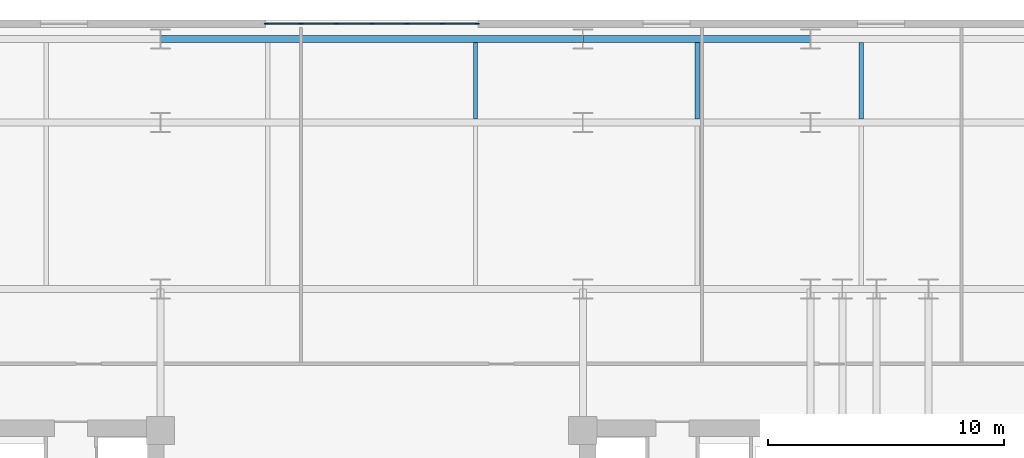
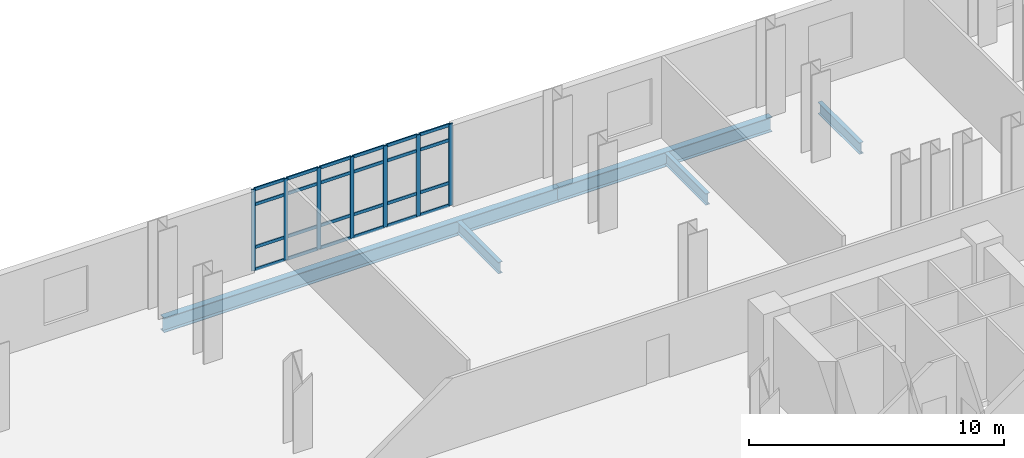
# One storey, part 5 of 13: 31 members, 5 beams, 1 element without a shape of its own.
"""IFC4 building model written with IfcOpenShell, lengths in metres."""

from ifc_helpers import new_model, si_unit, direction, frame, origin, origin_2d, place, context, subcontext, project, spatial, rectangle, i_section, extrude, material, layer, layer_set, material_profile, profile_set, type_object, element, aggregate, save


model = new_model("IFC4")

# Units and contexts
model_context = context("Model", 3, precision=1e-05, world=origin(), true_north=direction((0.0, 1.0)))
body_context = subcontext(model_context, "Body", "Model", "MODEL_VIEW")
ifc_project = project(units=[si_unit("LENGTHUNIT", "METRE"), si_unit("AREAUNIT", "SQUARE_METRE"), si_unit("VOLUMEUNIT", "CUBIC_METRE"), si_unit("PLANEANGLEUNIT", "RADIAN"), si_unit("MASSUNIT", "GRAM", prefix="KILO")], contexts=[model_context])

# Site, building, storey
site_placement = place(None, origin())
site = spatial("IfcSite", under=ifc_project, at=site_placement, CompositionType="ELEMENT")
building_placement = place(site_placement, origin())
building = spatial("IfcBuilding", under=site, at=building_placement, Name="Velakula Bourse", CompositionType="ELEMENT")
storey_placement = place(building_placement, frame((0.0, 0.0, 22.800048828125)))
storey = spatial("IfcBuildingStorey", under=building, at=storey_placement, Name="L05", CompositionType="ELEMENT", Elevation=22.800048828125)

# Beams
ifc_material_1 = material(Name="Steel IS 2062 Grade 350 (E350)", Category="steel")
ifc_material_profile_1 = material_profile(ifc_material_1, i_section(OverallWidth=0.300048828125, OverallDepth=0.699951171875, WebThickness=0.01611328125, FlangeThickness=0.02490234375, at=origin_2d()), Name="Steel IS 2062 Grade 350 (E350)")
ifc_profile_set_1 = profile_set([ifc_material_profile_1], Name="Steel IS 2062 Grade 350 (E350)")
beam_type_1 = type_object("IfcBeamType", Name="BM-POD-700", PredefinedType="BEAM", material=ifc_profile_set_1)
beam_1_placement = place(storey_placement, frame((-8.949951171875, 25.199951171875, -0.60009765625), z_axis=(1.0, 0.0, 0.0), x_axis=(0.0, 1.0, 0.0)))
element("IfcBeam", 1, at=beam_1_placement, inside=storey, type_object=beam_type_1, Name="L05 Podium E-W Girder 60", PredefinedType="BEAM", context=body_context, shape_type="SweptSolid", body=[
    extrude(i_section(OverallWidth=0.300048828125, OverallDepth=0.699951171875, WebThickness=0.01611328125, FlangeThickness=0.02490234375, at=origin_2d()), origin(), (0.0, 0.0, 1.0), 17.89990234375),
])
beam_2_placement = place(storey_placement, frame((8.949951171875, 25.199951171875, -0.60009765625), z_axis=(1.0, 0.0, 0.0), x_axis=(0.0, 1.0, 0.0)))
element("IfcBeam", 2, at=beam_2_placement, inside=storey, type_object=beam_type_1, Name="L05 Podium E-W Girder 61", PredefinedType="BEAM", context=body_context, shape_type="SweptSolid", body=[
    extrude(i_section(OverallWidth=0.300048828125, OverallDepth=0.699951171875, WebThickness=0.01611328125, FlangeThickness=0.02490234375, at=origin_2d()), origin(), (0.0, 0.0, 1.0), 9.650146484375),
])
ifc_material_profile_2 = material_profile(ifc_material_1, i_section(OverallWidth=0.18994140625, OverallDepth=0.550048828125, WebThickness=0.01123046875, FlangeThickness=0.019287109375, at=origin_2d()), Name="Steel IS 2062 Grade 350 (E350)")
ifc_profile_set_2 = profile_set([ifc_material_profile_2], Name="Steel IS 2062 Grade 350 (E350)")
beam_type_2 = type_object("IfcBeamType", Name="JST-POD-550", PredefinedType="JOIST", material=ifc_profile_set_2)
for number, where, z_axis, x_axis, name in (
    (3, (4.39990234375, 21.800048828125, -0.525146484375), (0.0, 1.0, 0.0), (-1.0, 0.0, 0.0), "L05 Station Podium Floor Joist 20"),
    (4, (13.800048828125, 21.800048828125, -0.525146484375), (0.0, 1.0, 0.0), (-1.0, 0.0, 0.0), "L05 Station Podium Floor Joist 24"),
    (5, (20.75, 21.800048828125, -0.525146484375), (0.0, 1.0, 0.0), (-1.0, 0.0, 0.0), "L05 Station Podium Floor Joist 28"),
):
    element("IfcBeam", number, at=place(storey_placement, frame(where, z_axis=z_axis, x_axis=x_axis)), inside=storey, type_object=beam_type_2, Name=name, PredefinedType="JOIST", context=body_context, shape_type="SweptSolid", body=[
        extrude(i_section(OverallWidth=0.18994140625, OverallDepth=0.550048828125, WebThickness=0.01123046875, FlangeThickness=0.019287109375, at=origin_2d()), origin(), (0.0, 0.0, 1.0), 3.25),
    ])

# Curtain wall, members
ifc_material_2 = material(Name="Anodised bronze architectural aluminium", Category="aluminium")
ifc_layer = layer(ifc_material_2, 0.179931640625, Name="Anodised bronze architectural aluminium", Category="aluminium")
ifc_layer_set = layer_set([ifc_layer], Name="Anodised bronze architectural aluminium")
curtain_wall_type = type_object("IfcCurtainWallType", Name="CW-PD1", PredefinedType="NOTDEFINED", material=ifc_layer_set)
curtain_wall_placement = place(storey_placement, origin())
curtain_wall = element("IfcCurtainWall", 6, at=curtain_wall_placement, inside=storey, type_object=curtain_wall_type, Name="L05 North Station Galleria Curtain Wall 2", PredefinedType="NOTDEFINED")
ifc_material_profile_3 = material_profile(ifc_material_2, rectangle(XDim=0.06005859375, YDim=0.179931640625, at=origin_2d()), Name="Anodised bronze architectural aluminium")
ifc_profile_set_3 = profile_set([ifc_material_profile_3], Name="Anodised bronze architectural aluminium")
member_type_1 = type_object("IfcMemberType", Name="MUL-CW-PD1", PredefinedType="MULLION", material=ifc_profile_set_3)
member_1_placement = place(storey_placement, frame((-4.469970703125, 25.840087890625, 0.0), z_axis=(0.0, 0.0, 1.0), x_axis=(0.0, 1.0, 0.0)))
member_1 = element("IfcMember", 7, at=member_1_placement, type_object=member_type_1, Name="CW-PD1 mullion 1", PredefinedType="MULLION", context=body_context, shape_type="SweptSolid", body=[
    extrude(rectangle(XDim=0.06005859375, YDim=0.179931640625, at=origin_2d()), origin(), (0.0, 0.0, 1.0), 3.89990234375),
])
member_2_placement = place(storey_placement, frame((-3.0, 25.840087890625, 0.0), z_axis=(0.0, 0.0, 1.0), x_axis=(0.0, 1.0, 0.0)))
member_2 = element("IfcMember", 8, at=member_2_placement, type_object=member_type_1, Name="CW-PD1 mullion 2", PredefinedType="MULLION", context=body_context, shape_type="SweptSolid", body=[
    extrude(rectangle(XDim=0.06005859375, YDim=0.179931640625, at=origin_2d()), origin(), (0.0, 0.0, 1.0), 3.89990234375),
])
member_3_placement = place(storey_placement, frame((-1.5, 25.840087890625, 0.0), z_axis=(0.0, 0.0, 1.0), x_axis=(0.0, 1.0, 0.0)))
member_3 = element("IfcMember", 9, at=member_3_placement, type_object=member_type_1, Name="CW-PD1 mullion 3", PredefinedType="MULLION", context=body_context, shape_type="SweptSolid", body=[
    extrude(rectangle(XDim=0.06005859375, YDim=0.179931640625, at=origin_2d()), origin(), (0.0, 0.0, 1.0), 3.89990234375),
])
member_4_placement = place(storey_placement, frame((0.0, 25.840087890625, 0.0), z_axis=(0.0, 0.0, 1.0), x_axis=(0.0, 1.0, 0.0)))
member_4 = element("IfcMember", 10, at=member_4_placement, type_object=member_type_1, Name="CW-PD1 mullion 4", PredefinedType="MULLION", context=body_context, shape_type="SweptSolid", body=[
    extrude(rectangle(XDim=0.06005859375, YDim=0.179931640625, at=origin_2d()), origin(), (0.0, 0.0, 1.0), 3.89990234375),
])
member_5_placement = place(storey_placement, frame((1.5, 25.840087890625, 0.0), z_axis=(0.0, 0.0, 1.0), x_axis=(0.0, 1.0, 0.0)))
member_5 = element("IfcMember", 11, at=member_5_placement, type_object=member_type_1, Name="CW-PD1 mullion 5", PredefinedType="MULLION", context=body_context, shape_type="SweptSolid", body=[
    extrude(rectangle(XDim=0.06005859375, YDim=0.179931640625, at=origin_2d()), origin(), (0.0, 0.0, 1.0), 3.89990234375),
])
member_6_placement = place(storey_placement, frame((3.0, 25.840087890625, 0.0), z_axis=(0.0, 0.0, 1.0), x_axis=(0.0, 1.0, 0.0)))
member_6 = element("IfcMember", 12, at=member_6_placement, type_object=member_type_1, Name="CW-PD1 mullion 6", PredefinedType="MULLION", context=body_context, shape_type="SweptSolid", body=[
    extrude(rectangle(XDim=0.06005859375, YDim=0.179931640625, at=origin_2d()), origin(), (0.0, 0.0, 1.0), 3.89990234375),
])
member_7_placement = place(storey_placement, frame((4.469970703125, 25.840087890625, 0.0), z_axis=(0.0, 0.0, 1.0), x_axis=(0.0, 1.0, 0.0)))
member_7 = element("IfcMember", 13, at=member_7_placement, type_object=member_type_1, Name="CW-PD1 mullion 7", PredefinedType="MULLION", context=body_context, shape_type="SweptSolid", body=[
    extrude(rectangle(XDim=0.06005859375, YDim=0.179931640625, at=origin_2d()), origin(), (0.0, 0.0, 1.0), 3.89990234375),
])
ifc_material_profile_4 = material_profile(ifc_material_2, rectangle(XDim=0.06005859375, YDim=0.14990234375, at=origin_2d()), Name="Anodised bronze architectural aluminium")
ifc_profile_set_4 = profile_set([ifc_material_profile_4], Name="Anodised bronze architectural aluminium")
member_type_2 = type_object("IfcMemberType", Name="TRN-CW-PD1", PredefinedType="USERDEFINED", material=ifc_profile_set_4)
member_8_placement = place(storey_placement, frame((-4.43994140625, 25.840087890625, 0.030029296875), z_axis=(1.0, 0.0, 0.0), x_axis=(0.0, 1.0, 0.0)))
member_8 = element("IfcMember", 14, at=member_8_placement, type_object=member_type_2, Name="CW-PD1 transom 1.1", ObjectType="TRANSOM", PredefinedType="USERDEFINED", context=body_context, shape_type="SweptSolid", body=[
    extrude(rectangle(XDim=0.06005859375, YDim=0.14990234375, at=origin_2d()), origin(), (0.0, 0.0, 1.0), 1.409912109375),
])
member_9_placement = place(storey_placement, frame((-4.43994140625, 25.840087890625, 1.099853515625), z_axis=(1.0, 0.0, 0.0), x_axis=(0.0, 1.0, 0.0)))
member_9 = element("IfcMember", 15, at=member_9_placement, type_object=member_type_2, Name="CW-PD1 transom 1.2", ObjectType="TRANSOM", PredefinedType="USERDEFINED", context=body_context, shape_type="SweptSolid", body=[
    extrude(rectangle(XDim=0.06005859375, YDim=0.14990234375, at=origin_2d()), origin(), (0.0, 0.0, 1.0), 1.409912109375),
])
member_10_placement = place(storey_placement, frame((-4.43994140625, 25.840087890625, 3.14990234375), z_axis=(1.0, 0.0, 0.0), x_axis=(0.0, 1.0, 0.0)))
member_10 = element("IfcMember", 16, at=member_10_placement, type_object=member_type_2, Name="CW-PD1 transom 1.3", ObjectType="TRANSOM", PredefinedType="USERDEFINED", context=body_context, shape_type="SweptSolid", body=[
    extrude(rectangle(XDim=0.06005859375, YDim=0.14990234375, at=origin_2d()), origin(), (0.0, 0.0, 1.0), 1.409912109375),
])
member_11_placement = place(storey_placement, frame((-4.43994140625, 25.840087890625, 3.869873046875), z_axis=(1.0, 0.0, 0.0), x_axis=(0.0, 1.0, 0.0)))
member_11 = element("IfcMember", 17, at=member_11_placement, type_object=member_type_2, Name="CW-PD1 transom 1.4", ObjectType="TRANSOM", PredefinedType="USERDEFINED", context=body_context, shape_type="SweptSolid", body=[
    extrude(rectangle(XDim=0.06005859375, YDim=0.14990234375, at=origin_2d()), origin(), (0.0, 0.0, 1.0), 1.409912109375),
])
member_12_placement = place(storey_placement, frame((-2.969970703125, 25.840087890625, 0.030029296875), z_axis=(1.0, 0.0, 0.0), x_axis=(0.0, 1.0, 0.0)))
member_12 = element("IfcMember", 18, at=member_12_placement, type_object=member_type_2, Name="CW-PD1 transom 2.1", ObjectType="TRANSOM", PredefinedType="USERDEFINED", context=body_context, shape_type="SweptSolid", body=[
    extrude(rectangle(XDim=0.06005859375, YDim=0.14990234375, at=origin_2d()), origin(), (0.0, 0.0, 1.0), 1.43994140625),
])
member_13_placement = place(storey_placement, frame((-2.969970703125, 25.840087890625, 1.099853515625), z_axis=(1.0, 0.0, 0.0), x_axis=(0.0, 1.0, 0.0)))
member_13 = element("IfcMember", 19, at=member_13_placement, type_object=member_type_2, Name="CW-PD1 transom 2.2", ObjectType="TRANSOM", PredefinedType="USERDEFINED", context=body_context, shape_type="SweptSolid", body=[
    extrude(rectangle(XDim=0.06005859375, YDim=0.14990234375, at=origin_2d()), origin(), (0.0, 0.0, 1.0), 1.43994140625),
])
member_14_placement = place(storey_placement, frame((-2.969970703125, 25.840087890625, 3.14990234375), z_axis=(1.0, 0.0, 0.0), x_axis=(0.0, 1.0, 0.0)))
member_14 = element("IfcMember", 20, at=member_14_placement, type_object=member_type_2, Name="CW-PD1 transom 2.3", ObjectType="TRANSOM", PredefinedType="USERDEFINED", context=body_context, shape_type="SweptSolid", body=[
    extrude(rectangle(XDim=0.06005859375, YDim=0.14990234375, at=origin_2d()), origin(), (0.0, 0.0, 1.0), 1.43994140625),
])
member_15_placement = place(storey_placement, frame((-2.969970703125, 25.840087890625, 3.869873046875), z_axis=(1.0, 0.0, 0.0), x_axis=(0.0, 1.0, 0.0)))
member_15 = element("IfcMember", 21, at=member_15_placement, type_object=member_type_2, Name="CW-PD1 transom 2.4", ObjectType="TRANSOM", PredefinedType="USERDEFINED", context=body_context, shape_type="SweptSolid", body=[
    extrude(rectangle(XDim=0.06005859375, YDim=0.14990234375, at=origin_2d()), origin(), (0.0, 0.0, 1.0), 1.43994140625),
])
member_16_placement = place(storey_placement, frame((-1.469970703125, 25.840087890625, 0.030029296875), z_axis=(1.0, 0.0, 0.0), x_axis=(0.0, 1.0, 0.0)))
member_16 = element("IfcMember", 22, at=member_16_placement, type_object=member_type_2, Name="CW-PD1 transom 3.1", ObjectType="TRANSOM", PredefinedType="USERDEFINED", context=body_context, shape_type="SweptSolid", body=[
    extrude(rectangle(XDim=0.06005859375, YDim=0.14990234375, at=origin_2d()), origin(), (0.0, 0.0, 1.0), 1.43994140625),
])
member_17_placement = place(storey_placement, frame((-1.469970703125, 25.840087890625, 1.099853515625), z_axis=(1.0, 0.0, 0.0), x_axis=(0.0, 1.0, 0.0)))
member_17 = element("IfcMember", 23, at=member_17_placement, type_object=member_type_2, Name="CW-PD1 transom 3.2", ObjectType="TRANSOM", PredefinedType="USERDEFINED", context=body_context, shape_type="SweptSolid", body=[
    extrude(rectangle(XDim=0.06005859375, YDim=0.14990234375, at=origin_2d()), origin(), (0.0, 0.0, 1.0), 1.43994140625),
])
member_18_placement = place(storey_placement, frame((-1.469970703125, 25.840087890625, 3.14990234375), z_axis=(1.0, 0.0, 0.0), x_axis=(0.0, 1.0, 0.0)))
member_18 = element("IfcMember", 24, at=member_18_placement, type_object=member_type_2, Name="CW-PD1 transom 3.3", ObjectType="TRANSOM", PredefinedType="USERDEFINED", context=body_context, shape_type="SweptSolid", body=[
    extrude(rectangle(XDim=0.06005859375, YDim=0.14990234375, at=origin_2d()), origin(), (0.0, 0.0, 1.0), 1.43994140625),
])
member_19_placement = place(storey_placement, frame((-1.469970703125, 25.840087890625, 3.869873046875), z_axis=(1.0, 0.0, 0.0), x_axis=(0.0, 1.0, 0.0)))
member_19 = element("IfcMember", 25, at=member_19_placement, type_object=member_type_2, Name="CW-PD1 transom 3.4", ObjectType="TRANSOM", PredefinedType="USERDEFINED", context=body_context, shape_type="SweptSolid", body=[
    extrude(rectangle(XDim=0.06005859375, YDim=0.14990234375, at=origin_2d()), origin(), (0.0, 0.0, 1.0), 1.43994140625),
])
member_20_placement = place(storey_placement, frame((0.030029296875, 25.840087890625, 0.030029296875), z_axis=(1.0, 0.0, 0.0), x_axis=(0.0, 1.0, 0.0)))
member_20 = element("IfcMember", 26, at=member_20_placement, type_object=member_type_2, Name="CW-PD1 transom 4.1", ObjectType="TRANSOM", PredefinedType="USERDEFINED", context=body_context, shape_type="SweptSolid", body=[
    extrude(rectangle(XDim=0.06005859375, YDim=0.14990234375, at=origin_2d()), origin(), (0.0, 0.0, 1.0), 1.43994140625),
])
member_21_placement = place(storey_placement, frame((0.030029296875, 25.840087890625, 1.099853515625), z_axis=(1.0, 0.0, 0.0), x_axis=(0.0, 1.0, 0.0)))
member_21 = element("IfcMember", 27, at=member_21_placement, type_object=member_type_2, Name="CW-PD1 transom 4.2", ObjectType="TRANSOM", PredefinedType="USERDEFINED", context=body_context, shape_type="SweptSolid", body=[
    extrude(rectangle(XDim=0.06005859375, YDim=0.14990234375, at=origin_2d()), origin(), (0.0, 0.0, 1.0), 1.43994140625),
])
member_22_placement = place(storey_placement, frame((0.030029296875, 25.840087890625, 3.14990234375), z_axis=(1.0, 0.0, 0.0), x_axis=(0.0, 1.0, 0.0)))
member_22 = element("IfcMember", 28, at=member_22_placement, type_object=member_type_2, Name="CW-PD1 transom 4.3", ObjectType="TRANSOM", PredefinedType="USERDEFINED", context=body_context, shape_type="SweptSolid", body=[
    extrude(rectangle(XDim=0.06005859375, YDim=0.14990234375, at=origin_2d()), origin(), (0.0, 0.0, 1.0), 1.43994140625),
])
member_23_placement = place(storey_placement, frame((0.030029296875, 25.840087890625, 3.869873046875), z_axis=(1.0, 0.0, 0.0), x_axis=(0.0, 1.0, 0.0)))
member_23 = element("IfcMember", 29, at=member_23_placement, type_object=member_type_2, Name="CW-PD1 transom 4.4", ObjectType="TRANSOM", PredefinedType="USERDEFINED", context=body_context, shape_type="SweptSolid", body=[
    extrude(rectangle(XDim=0.06005859375, YDim=0.14990234375, at=origin_2d()), origin(), (0.0, 0.0, 1.0), 1.43994140625),
])
member_24_placement = place(storey_placement, frame((1.530029296875, 25.840087890625, 0.030029296875), z_axis=(1.0, 0.0, 0.0), x_axis=(0.0, 1.0, 0.0)))
member_24 = element("IfcMember", 30, at=member_24_placement, type_object=member_type_2, Name="CW-PD1 transom 5.1", ObjectType="TRANSOM", PredefinedType="USERDEFINED", context=body_context, shape_type="SweptSolid", body=[
    extrude(rectangle(XDim=0.06005859375, YDim=0.14990234375, at=origin_2d()), origin(), (0.0, 0.0, 1.0), 1.43994140625),
])
member_25_placement = place(storey_placement, frame((1.530029296875, 25.840087890625, 1.099853515625), z_axis=(1.0, 0.0, 0.0), x_axis=(0.0, 1.0, 0.0)))
member_25 = element("IfcMember", 31, at=member_25_placement, type_object=member_type_2, Name="CW-PD1 transom 5.2", ObjectType="TRANSOM", PredefinedType="USERDEFINED", context=body_context, shape_type="SweptSolid", body=[
    extrude(rectangle(XDim=0.06005859375, YDim=0.14990234375, at=origin_2d()), origin(), (0.0, 0.0, 1.0), 1.43994140625),
])
member_26_placement = place(storey_placement, frame((1.530029296875, 25.840087890625, 3.14990234375), z_axis=(1.0, 0.0, 0.0), x_axis=(0.0, 1.0, 0.0)))
member_26 = element("IfcMember", 32, at=member_26_placement, type_object=member_type_2, Name="CW-PD1 transom 5.3", ObjectType="TRANSOM", PredefinedType="USERDEFINED", context=body_context, shape_type="SweptSolid", body=[
    extrude(rectangle(XDim=0.06005859375, YDim=0.14990234375, at=origin_2d()), origin(), (0.0, 0.0, 1.0), 1.43994140625),
])
member_27_placement = place(storey_placement, frame((1.530029296875, 25.840087890625, 3.869873046875), z_axis=(1.0, 0.0, 0.0), x_axis=(0.0, 1.0, 0.0)))
member_27 = element("IfcMember", 33, at=member_27_placement, type_object=member_type_2, Name="CW-PD1 transom 5.4", ObjectType="TRANSOM", PredefinedType="USERDEFINED", context=body_context, shape_type="SweptSolid", body=[
    extrude(rectangle(XDim=0.06005859375, YDim=0.14990234375, at=origin_2d()), origin(), (0.0, 0.0, 1.0), 1.43994140625),
])
member_28_placement = place(storey_placement, frame((3.030029296875, 25.840087890625, 0.030029296875), z_axis=(1.0, 0.0, 0.0), x_axis=(0.0, 1.0, 0.0)))
member_28 = element("IfcMember", 34, at=member_28_placement, type_object=member_type_2, Name="CW-PD1 transom 6.1", ObjectType="TRANSOM", PredefinedType="USERDEFINED", context=body_context, shape_type="SweptSolid", body=[
    extrude(rectangle(XDim=0.06005859375, YDim=0.14990234375, at=origin_2d()), origin(), (0.0, 0.0, 1.0), 1.409912109375),
])
member_29_placement = place(storey_placement, frame((3.030029296875, 25.840087890625, 1.099853515625), z_axis=(1.0, 0.0, 0.0), x_axis=(0.0, 1.0, 0.0)))
member_29 = element("IfcMember", 35, at=member_29_placement, type_object=member_type_2, Name="CW-PD1 transom 6.2", ObjectType="TRANSOM", PredefinedType="USERDEFINED", context=body_context, shape_type="SweptSolid", body=[
    extrude(rectangle(XDim=0.06005859375, YDim=0.14990234375, at=origin_2d()), origin(), (0.0, 0.0, 1.0), 1.409912109375),
])
member_30_placement = place(storey_placement, frame((3.030029296875, 25.840087890625, 3.14990234375), z_axis=(1.0, 0.0, 0.0), x_axis=(0.0, 1.0, 0.0)))
member_30 = element("IfcMember", 36, at=member_30_placement, type_object=member_type_2, Name="CW-PD1 transom 6.3", ObjectType="TRANSOM", PredefinedType="USERDEFINED", context=body_context, shape_type="SweptSolid", body=[
    extrude(rectangle(XDim=0.06005859375, YDim=0.14990234375, at=origin_2d()), origin(), (0.0, 0.0, 1.0), 1.409912109375),
])
member_31_placement = place(storey_placement, frame((3.030029296875, 25.840087890625, 3.869873046875), z_axis=(1.0, 0.0, 0.0), x_axis=(0.0, 1.0, 0.0)))
member_31 = element("IfcMember", 37, at=member_31_placement, type_object=member_type_2, Name="CW-PD1 transom 6.4", ObjectType="TRANSOM", PredefinedType="USERDEFINED", context=body_context, shape_type="SweptSolid", body=[
    extrude(rectangle(XDim=0.06005859375, YDim=0.14990234375, at=origin_2d()), origin(), (0.0, 0.0, 1.0), 1.409912109375),
])
aggregate(curtain_wall, [member_1, member_2, member_3, member_4, member_5, member_6, member_7, member_8, member_9, member_10, member_11, member_12, member_13, member_14, member_15, member_16, member_17, member_18, member_19, member_20, member_21, member_22, member_23, member_24, member_25, member_26, member_27, member_28, member_29, member_30, member_31])

save(model, "model.ifc")
